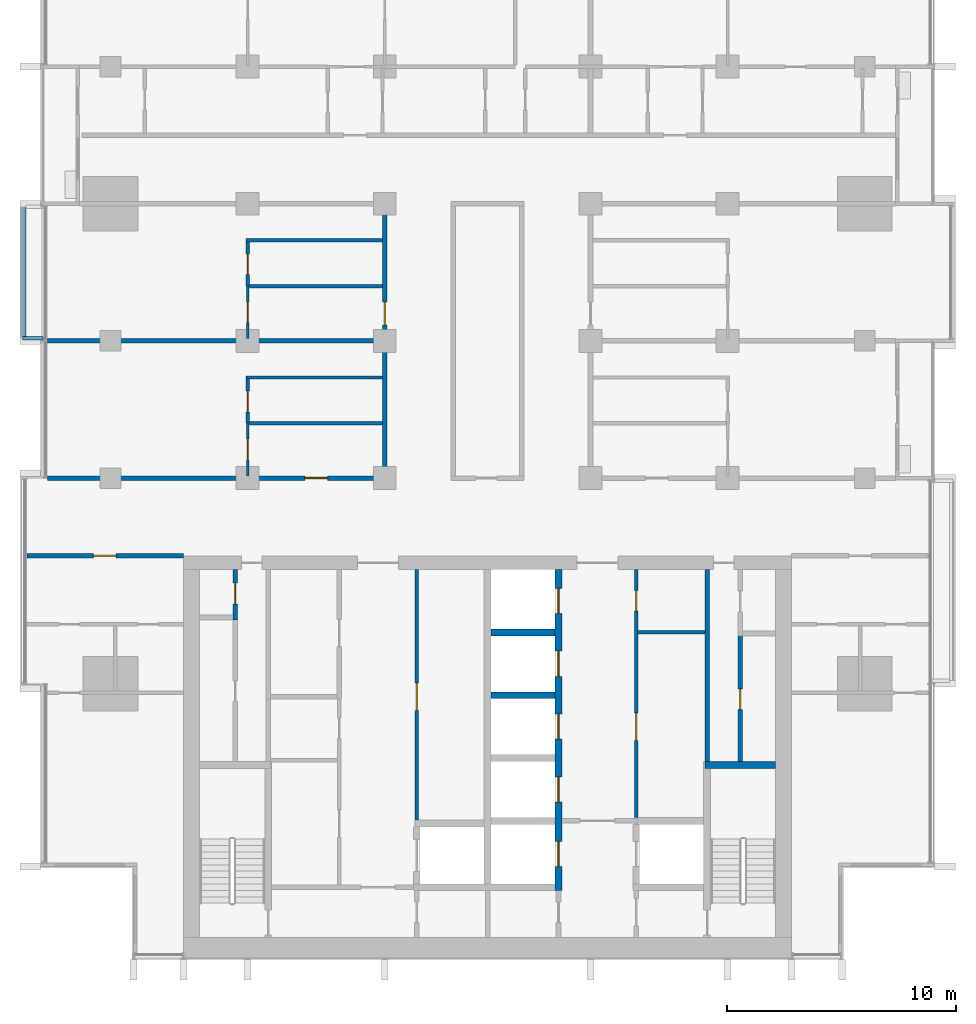
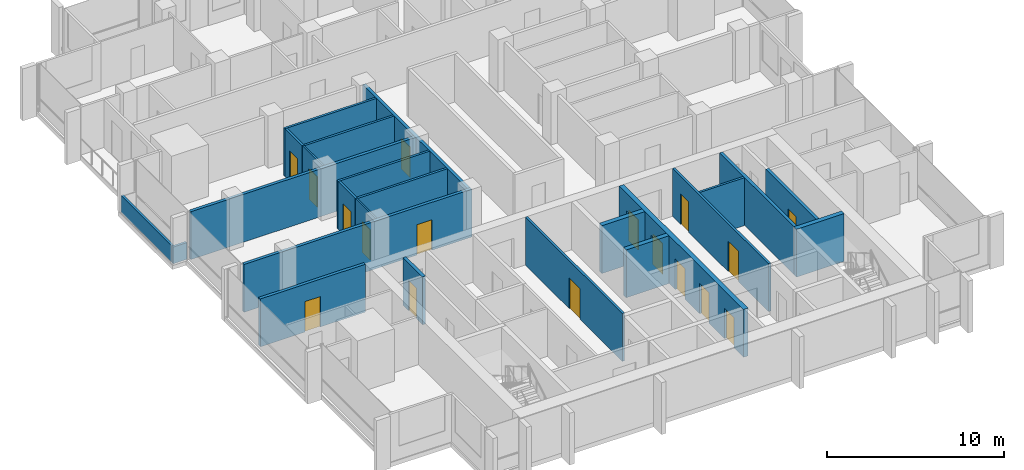
# One storey, part 8 of 17: 24 walls, 17 doors, 17 openings.
"""IFC4 building model written with IfcOpenShell, lengths in metres."""

from ifc_helpers import new_model, si_unit, direction, frame, frame_2d, origin, place, context, subcontext, project, spatial, rectangle, extrude, material, layer, layer_set, type_object, element, fill, save


model = new_model("IFC4")

# Units and contexts
model_context = context("Model", 3, precision=1e-05, world=origin(), true_north=direction((0.0, 1.0)))
body_context = subcontext(model_context, "Body", "Model", "MODEL_VIEW")
ifc_project = project(units=[si_unit("LENGTHUNIT", "METRE"), si_unit("AREAUNIT", "SQUARE_METRE"), si_unit("VOLUMEUNIT", "CUBIC_METRE"), si_unit("PLANEANGLEUNIT", "RADIAN"), si_unit("MASSUNIT", "GRAM", prefix="KILO")], contexts=[model_context])

# Site, building, storey
site_placement = place(None, origin())
site = spatial("IfcSite", under=ifc_project, at=site_placement, CompositionType="ELEMENT")
building_placement = place(site_placement, origin())
building = spatial("IfcBuilding", under=site, at=building_placement, Name="Finial Court Residences", CompositionType="ELEMENT")
storey_placement = place(building_placement, frame((0.0, 0.0, 181.699951171875)))
storey = spatial("IfcBuildingStorey", under=building, at=storey_placement, Name="L45", CompositionType="ELEMENT", Elevation=181.699951171875)

# Walls
ifc_material_1 = material(Name="Gypsum board")
ifc_layer_1 = layer(ifc_material_1, 0.02490234375)
ifc_material_2 = material(Name="Acoustic mineral wool in double frame")
ifc_layer_2 = layer(ifc_material_2, 0.14990234375)
ifc_layer_3 = layer(ifc_material_1, 0.02490234375)
ifc_layer_set_1 = layer_set([ifc_layer_1, ifc_layer_2, ifc_layer_3], Name="Acoustic party wall 200, 1 hour")
wall_type_1 = type_object("IfcWallType", Name="Acoustic party wall 200, 1 hour", PredefinedType="PARTITIONING", material=ifc_layer_set_1)
wall_1_placement = place(storey_placement, frame((-19.262451171875, 1.5, 0.0), z_axis=(0.0, 0.0, 1.0), x_axis=(1.0, 0.0, 0.0)))
element("IfcWall", 1, at=wall_1_placement, inside=storey, type_object=wall_type_1, Name="Partition L45-013", PredefinedType="PARTITIONING", context=body_context, shape_type="SweptSolid", body=[
    extrude(rectangle(XDim=14.662353515625, YDim=0.199951171875, at=frame_2d((7.3310546875, 0.0))), origin(), (0.0, 0.0, 1.0), 3.300048828125),
])
ifc_material_3 = material(Name="Fire-rated gypsum board partition")
ifc_layer_4 = layer(ifc_material_3, 0.14990234375)
ifc_layer_set_2 = layer_set([ifc_layer_4], Name="Core room partition 150 EI 60")
wall_type_2 = type_object("IfcWallType", Name="Core room partition 150 EI 60", PredefinedType="PARTITIONING", material=ifc_layer_set_2)
wall_2_placement = place(storey_placement, frame((6.574951171875, -11.25, 0.0), z_axis=(0.0, 0.0, 1.0), x_axis=(1.0, 0.0, 0.0)))
element("IfcWall", 2, at=wall_2_placement, inside=storey, type_object=wall_type_2, Name="Core partition L45-16", PredefinedType="PARTITIONING", context=body_context, shape_type="SweptSolid", body=[
    extrude(rectangle(XDim=2.925048828125, YDim=0.14990234375, at=frame_2d((1.46240234375, 0.0))), origin(), (0.0, 0.0, 1.0), 3.300048828125),
])

# Wall, opening, door
wall_3_placement = place(storey_placement, frame((-3.10009765625, -8.5, 0.0), z_axis=(0.0, 0.0, 1.0), x_axis=(0.0, -1.0, 0.0)))
wall_3 = element("IfcWall", 3, at=wall_3_placement, inside=storey, type_object=wall_type_2, Name="Core partition L45-27", PredefinedType="PARTITIONING", context=body_context, shape_type="SweptSolid", body=[
    extrude(rectangle(XDim=10.969970703125, YDim=0.14990234375, at=frame_2d((5.48486328125, 0.0))), origin(), (0.0, 0.0, 1.0), 3.300048828125),
])
opening_1_placement = place(wall_3_placement, frame((4.9599609375, 0.0, 0.0)))
opening_1 = element("IfcOpeningElement", 4, at=opening_1_placement, cuts=wall_3, Name="Opening L45-C17", PredefinedType="OPENING", context=body_context, shape_type="SweptSolid", body=[
    extrude(rectangle(XDim=1.199951171875, YDim=2.10009765625, at=frame_2d((0.60009765625, 1.050048828125))), frame((0.0, 0.0849609375, 0.0), z_axis=(0.0, -1.0, 0.0), x_axis=(1.0, 0.0, 0.0)), (0.0, 0.0, 1.0), 0.169921875),
])
ifc_material_4 = material(Name="Steel fire door", Category="steel")
door_type_1 = type_object("IfcDoorType", Name="Core room door 1200 x 2100 EI 60", OperationType="NOTDEFINED", PredefinedType="DOOR", material=ifc_material_4)
door_1_placement = place(opening_1_placement, origin())
door_1 = element("IfcDoor", 5, at=door_1_placement, inside=storey, type_object=door_type_1, Name="Core room door L45-C17", OperationType="SINGLE_SWING_RIGHT", OverallHeight=2.10009765625, OverallWidth=1.199951171875, PredefinedType="DOOR", context=body_context, shape_type="SweptSolid", body=[
    extrude(rectangle(XDim=1.199951171875, YDim=2.10009765625, at=frame_2d((0.60009765625, 1.050048828125))), frame((0.0, 0.02490234375, 0.0), z_axis=(0.0, -1.0, 0.0), x_axis=(1.0, 0.0, 0.0)), (0.0, 0.0, 1.0), 0.050048828125),
])
fill(opening_1, door_1)

# Wall, openings, doors
wall_4_placement = place(storey_placement, frame((6.5, -8.5, 0.0), z_axis=(0.0, 0.0, 1.0), x_axis=(0.0, -1.0, 0.0)))
wall_4 = element("IfcWall", 6, at=wall_4_placement, inside=storey, type_object=wall_type_2, Name="Core partition L45-34", PredefinedType="PARTITIONING", context=body_context, shape_type="SweptSolid", body=[
    extrude(rectangle(XDim=10.85009765625, YDim=0.14990234375, at=frame_2d((5.425048828125, 0.0))), origin(), (0.0, 0.0, 1.0), 3.300048828125),
])
opening_2_placement = place(wall_4_placement, frame((6.27490234375, 0.0, 0.0)))
opening_2 = element("IfcOpeningElement", 7, at=opening_2_placement, cuts=wall_4, Name="Opening L45-C18", PredefinedType="OPENING", context=body_context, shape_type="SweptSolid", body=[
    extrude(rectangle(XDim=1.199951171875, YDim=2.10009765625, at=frame_2d((0.60009765625, 1.050048828125))), frame((0.0, 0.0849609375, 0.0), z_axis=(0.0, -1.0, 0.0), x_axis=(1.0, 0.0, 0.0)), (0.0, 0.0, 1.0), 0.169921875),
])
opening_3_placement = place(wall_4_placement, frame((0.925048828125, 0.0, 0.0)))
opening_3 = element("IfcOpeningElement", 8, at=opening_3_placement, cuts=wall_4, Name="Opening L45-C19", PredefinedType="OPENING", context=body_context, shape_type="SweptSolid", body=[
    extrude(rectangle(XDim=0.89990234375, YDim=2.10009765625, at=frame_2d((0.449951171875, 1.050048828125))), frame((0.0, 0.0849609375, 0.0), z_axis=(0.0, -1.0, 0.0), x_axis=(1.0, 0.0, 0.0)), (0.0, 0.0, 1.0), 0.169921875),
])
door_2_placement = place(opening_2_placement, origin())
door_2 = element("IfcDoor", 9, at=door_2_placement, inside=storey, type_object=door_type_1, Name="Core room door L45-C18", OperationType="SINGLE_SWING_RIGHT", OverallHeight=2.10009765625, OverallWidth=1.199951171875, PredefinedType="DOOR", context=body_context, shape_type="SweptSolid", body=[
    extrude(rectangle(XDim=1.199951171875, YDim=2.10009765625, at=frame_2d((0.60009765625, 1.050048828125))), frame((0.0, 0.02490234375, 0.0), z_axis=(0.0, -1.0, 0.0), x_axis=(1.0, 0.0, 0.0)), (0.0, 0.0, 1.0), 0.050048828125),
])
fill(opening_2, door_2)
door_type_2 = type_object("IfcDoorType", Name="Core room door 900 x 2100 EI 60", OperationType="NOTDEFINED", PredefinedType="DOOR", material=ifc_material_4)
door_3_placement = place(opening_3_placement, origin())
door_3 = element("IfcDoor", 10, at=door_3_placement, inside=storey, type_object=door_type_2, Name="Core room door L45-C19", OperationType="SINGLE_SWING_RIGHT", OverallHeight=2.10009765625, OverallWidth=0.89990234375, PredefinedType="DOOR", context=body_context, shape_type="SweptSolid", body=[
    extrude(rectangle(XDim=0.89990234375, YDim=2.10009765625, at=frame_2d((0.449951171875, 1.050048828125))), frame((0.0, 0.02490234375, 0.0), z_axis=(0.0, -1.0, 0.0), x_axis=(1.0, 0.0, 0.0)), (0.0, 0.0, 1.0), 0.050048828125),
])
fill(opening_3, door_3)

# Wall, opening, door
ifc_layer_5 = layer(ifc_material_1, 0.02490234375)
ifc_layer_6 = layer(ifc_material_2, 0.14990234375)
ifc_layer_7 = layer(ifc_material_1, 0.02490234375)
ifc_layer_set_3 = layer_set([ifc_layer_5, ifc_layer_6, ifc_layer_7], Name="Corridor wall 200, 1 hour")
wall_type_3 = type_object("IfcWallType", Name="Corridor wall 200, 1 hour", PredefinedType="PARTITIONING", material=ifc_layer_set_3)
wall_5_placement = place(storey_placement, frame((-20.16259765625, -7.89990234375, 0.0), z_axis=(0.0, 0.0, 1.0), x_axis=(1.0, 0.0, 0.0)))
wall_5 = element("IfcWall", 11, at=wall_5_placement, inside=storey, type_object=wall_type_3, Name="Partition L45-004", PredefinedType="PARTITIONING", context=body_context, shape_type="SweptSolid", body=[
    extrude(rectangle(XDim=6.862548828125, YDim=0.199951171875, at=frame_2d((3.43115234375, 0.0))), origin(), (0.0, 0.0, 1.0), 3.300048828125),
])
opening_4_placement = place(wall_5_placement, frame((2.9130859375, 0.0, 0.0)))
opening_4 = element("IfcOpeningElement", 12, at=opening_4_placement, cuts=wall_5, Name="Opening L45-D007", PredefinedType="OPENING", context=body_context, shape_type="SweptSolid", body=[
    extrude(rectangle(XDim=1.0, YDim=2.10009765625, at=frame_2d((0.5, 1.050048828125))), frame((0.0, 0.10986328125, 0.0), z_axis=(0.0, -1.0, 0.0), x_axis=(1.0, 0.0, 0.0)), (0.0, 0.0, 1.0), 0.219970703125),
])
ifc_material_5 = material(Name="Timber door leaf in hollow metal frame", Category="wood")
door_type_3 = type_object("IfcDoorType", Name="Fire door set 1000 x 2100, 30 minutes", OperationType="SINGLE_SWING_LEFT", PredefinedType="DOOR", material=ifc_material_5)
door_4_placement = place(opening_4_placement, origin())
door_4 = element("IfcDoor", 13, at=door_4_placement, inside=storey, type_object=door_type_3, Name="Door L45-D007", OperationType="SINGLE_SWING_RIGHT", OverallHeight=2.10009765625, OverallWidth=1.0, PredefinedType="DOOR", context=body_context, shape_type="SweptSolid", body=[
    extrude(rectangle(XDim=1.0, YDim=2.10009765625, at=frame_2d((0.5, 1.050048828125))), frame((0.0, 0.02490234375, 0.0), z_axis=(0.0, -1.0, 0.0), x_axis=(1.0, 0.0, 0.0)), (0.0, 0.0, 1.0), 0.050048828125),
])
fill(opening_4, door_4)

wall_6_placement = place(storey_placement, frame((-19.262451171875, -4.5, 0.0), z_axis=(0.0, 0.0, 1.0), x_axis=(1.0, 0.0, 0.0)))
wall_6 = element("IfcWall", 14, at=wall_6_placement, inside=storey, type_object=wall_type_3, Name="Partition L45-006", PredefinedType="PARTITIONING", context=body_context, shape_type="SweptSolid", body=[
    extrude(rectangle(XDim=14.862548828125, YDim=0.199951171875, at=frame_2d((7.43115234375, 0.0))), origin(), (0.0, 0.0, 1.0), 3.300048828125),
])
opening_5_placement = place(wall_6_placement, frame((11.261962890625, 0.0, 0.0)))
opening_5 = element("IfcOpeningElement", 15, at=opening_5_placement, cuts=wall_6, Name="Opening L45-D009", PredefinedType="OPENING", context=body_context, shape_type="SweptSolid", body=[
    extrude(rectangle(XDim=1.0, YDim=2.10009765625, at=frame_2d((0.5, 1.050048828125))), frame((0.0, 0.10986328125, 0.0), z_axis=(0.0, -1.0, 0.0), x_axis=(1.0, 0.0, 0.0)), (0.0, 0.0, 1.0), 0.219970703125),
])
door_5_placement = place(opening_5_placement, origin())
door_5 = element("IfcDoor", 16, at=door_5_placement, inside=storey, type_object=door_type_3, Name="Door L45-D009", OperationType="SINGLE_SWING_LEFT", OverallHeight=2.10009765625, OverallWidth=1.0, PredefinedType="DOOR", context=body_context, shape_type="SweptSolid", body=[
    extrude(rectangle(XDim=1.0, YDim=2.10009765625, at=frame_2d((0.5, 1.050048828125))), frame((0.0, 0.02490234375, 0.0), z_axis=(0.0, -1.0, 0.0), x_axis=(1.0, 0.0, 0.0)), (0.0, 0.0, 1.0), 0.050048828125),
])
fill(opening_5, door_5)

wall_7_placement = place(storey_placement, frame((-4.5, -4.39990234375, 0.0), z_axis=(0.0, 0.0, 1.0), x_axis=(0.0, 1.0, 0.0)))
wall_7 = element("IfcWall", 17, at=wall_7_placement, inside=storey, type_object=wall_type_3, Name="Partition L45-042", PredefinedType="PARTITIONING", context=body_context, shape_type="SweptSolid", body=[
    extrude(rectangle(XDim=11.7998046875, YDim=0.199951171875, at=frame_2d((5.89990234375, 0.0))), origin(), (0.0, 0.0, 1.0), 3.300048828125),
])
opening_6_placement = place(wall_7_placement, frame((6.60009765625, 0.0, 0.0)))
opening_6 = element("IfcOpeningElement", 18, at=opening_6_placement, cuts=wall_7, Name="Opening L45-D029", PredefinedType="OPENING", context=body_context, shape_type="SweptSolid", body=[
    extrude(rectangle(XDim=1.0, YDim=2.10009765625, at=frame_2d((0.5, 1.050048828125))), frame((0.0, 0.10986328125, 0.0), z_axis=(0.0, -1.0, 0.0), x_axis=(1.0, 0.0, 0.0)), (0.0, 0.0, 1.0), 0.219970703125),
])
door_6_placement = place(opening_6_placement, origin())
door_6 = element("IfcDoor", 19, at=door_6_placement, inside=storey, type_object=door_type_3, Name="Door L45-D029", OperationType="SINGLE_SWING_LEFT", OverallHeight=2.10009765625, OverallWidth=1.0, PredefinedType="DOOR", context=body_context, shape_type="SweptSolid", body=[
    extrude(rectangle(XDim=1.0, YDim=2.10009765625, at=frame_2d((0.5, 1.050048828125))), frame((0.0, 0.02490234375, 0.0), z_axis=(0.0, -1.0, 0.0), x_axis=(1.0, 0.0, 0.0)), (0.0, 0.0, 1.0), 0.050048828125),
])
fill(opening_6, door_6)

ifc_layer_8 = layer(ifc_material_1, 0.012451171875)
ifc_material_6 = material(Name="Mineral wool in light-gauge frame")
ifc_layer_9 = layer(ifc_material_6, 0.074951171875)
ifc_layer_10 = layer(ifc_material_1, 0.012451171875)
ifc_layer_set_4 = layer_set([ifc_layer_8, ifc_layer_9, ifc_layer_10], Name="Gypsum board partition 100")
wall_type_4 = type_object("IfcWallType", Name="Gypsum board partition 100", PredefinedType="PARTITIONING", material=ifc_layer_set_4)
wall_8_placement = place(storey_placement, frame((-10.5, -4.39990234375, 0.0), z_axis=(0.0, 0.0, 1.0), x_axis=(0.0, 1.0, 0.0)))
wall_8 = element("IfcWall", 20, at=wall_8_placement, inside=storey, type_object=wall_type_4, Name="Partition L45-035", PredefinedType="PARTITIONING", context=body_context, shape_type="SweptSolid", body=[
    extrude(rectangle(XDim=2.2998046875, YDim=0.10009765625, at=frame_2d((1.14990234375, 0.0))), origin(), (0.0, 0.0, 1.0), 3.300048828125),
])
opening_7_placement = place(wall_8_placement, frame((0.699951171875, 0.0, 0.0)))
opening_7 = element("IfcOpeningElement", 21, at=opening_7_placement, cuts=wall_8, Name="Opening L45-D022", PredefinedType="OPENING", context=body_context, shape_type="SweptSolid", body=[
    extrude(rectangle(XDim=0.89990234375, YDim=2.10009765625, at=frame_2d((0.449951171875, 1.050048828125))), frame((0.0, 0.06005859375, 0.0), z_axis=(0.0, -1.0, 0.0), x_axis=(1.0, 0.0, 0.0)), (0.0, 0.0, 1.0), 0.1201171875),
])
ifc_material_7 = material(Name="Timber door leaf in timber frame", Category="wood")
door_type_4 = type_object("IfcDoorType", Name="Door set 900 x 2100", OperationType="SINGLE_SWING_LEFT", PredefinedType="DOOR", material=ifc_material_7)
door_7_placement = place(opening_7_placement, origin())
door_7 = element("IfcDoor", 22, at=door_7_placement, inside=storey, type_object=door_type_4, Name="Door L45-D022", OperationType="SINGLE_SWING_LEFT", OverallHeight=2.10009765625, OverallWidth=0.89990234375, PredefinedType="DOOR", context=body_context, shape_type="SweptSolid", body=[
    extrude(rectangle(XDim=0.89990234375, YDim=2.10009765625, at=frame_2d((0.449951171875, 1.050048828125))), frame((0.0, 0.02490234375, 0.0), z_axis=(0.0, -1.0, 0.0), x_axis=(1.0, 0.0, 0.0)), (0.0, 0.0, 1.0), 0.050048828125),
])
fill(opening_7, door_7)

wall_9_placement = place(storey_placement, frame((-10.5, 1.60009765625, 0.0), z_axis=(0.0, 0.0, 1.0), x_axis=(0.0, 1.0, 0.0)))
wall_9 = element("IfcWall", 23, at=wall_9_placement, inside=storey, type_object=wall_type_4, Name="Partition L45-036", PredefinedType="PARTITIONING", context=body_context, shape_type="SweptSolid", body=[
    extrude(rectangle(XDim=2.2998046875, YDim=0.10009765625, at=frame_2d((1.14990234375, 0.0))), origin(), (0.0, 0.0, 1.0), 3.300048828125),
])
opening_8_placement = place(wall_9_placement, frame((0.699951171875, 0.0, 0.0)))
opening_8 = element("IfcOpeningElement", 24, at=opening_8_placement, cuts=wall_9, Name="Opening L45-D023", PredefinedType="OPENING", context=body_context, shape_type="SweptSolid", body=[
    extrude(rectangle(XDim=0.89990234375, YDim=2.10009765625, at=frame_2d((0.449951171875, 1.050048828125))), frame((0.0, 0.06005859375, 0.0), z_axis=(0.0, -1.0, 0.0), x_axis=(1.0, 0.0, 0.0)), (0.0, 0.0, 1.0), 0.1201171875),
])
door_8_placement = place(opening_8_placement, origin())
door_8 = element("IfcDoor", 25, at=door_8_placement, inside=storey, type_object=door_type_4, Name="Door L45-D023", OperationType="SINGLE_SWING_RIGHT", OverallHeight=2.10009765625, OverallWidth=0.89990234375, PredefinedType="DOOR", context=body_context, shape_type="SweptSolid", body=[
    extrude(rectangle(XDim=0.89990234375, YDim=2.10009765625, at=frame_2d((0.449951171875, 1.050048828125))), frame((0.0, 0.02490234375, 0.0), z_axis=(0.0, -1.0, 0.0), x_axis=(1.0, 0.0, 0.0)), (0.0, 0.0, 1.0), 0.050048828125),
])
fill(opening_8, door_8)

# Walls
ifc_material_8 = material(Name="Moisture-resistant gypsum board")
ifc_layer_11 = layer(ifc_material_8, 0.012451171875)
ifc_layer_12 = layer(ifc_material_6, 0.125)
ifc_layer_13 = layer(ifc_material_8, 0.012451171875)
ifc_layer_set_5 = layer_set([ifc_layer_11, ifc_layer_12, ifc_layer_13], Name="Gypsum board wet-area partition 150")
wall_type_5 = type_object("IfcWallType", Name="Gypsum board wet-area partition 150", PredefinedType="PARTITIONING", material=ifc_layer_set_5)
wall_10_placement = place(storey_placement, frame((-10.425048828125, -2.10009765625, 0.0), z_axis=(0.0, 0.0, 1.0), x_axis=(1.0, 0.0, 0.0)))
element("IfcWall", 26, at=wall_10_placement, inside=storey, type_object=wall_type_5, Name="Partition L45-009", PredefinedType="PARTITIONING", context=body_context, shape_type="SweptSolid", body=[
    extrude(rectangle(XDim=5.824951171875, YDim=0.14990234375, at=frame_2d((2.91259765625, 0.0))), origin(), (0.0, 0.0, 1.0), 3.300048828125),
])
wall_11_placement = place(storey_placement, frame((-10.574951171875, -0.10009765625, 0.0), z_axis=(0.0, 0.0, 1.0), x_axis=(1.0, 0.0, 0.0)))
element("IfcWall", 27, at=wall_11_placement, inside=storey, type_object=wall_type_5, Name="Partition L45-011", PredefinedType="PARTITIONING", context=body_context, shape_type="SweptSolid", body=[
    extrude(rectangle(XDim=5.974853515625, YDim=0.14990234375, at=frame_2d((2.9873046875, 0.0))), origin(), (0.0, 0.0, 1.0), 3.300048828125),
])
wall_12_placement = place(storey_placement, frame((-10.425048828125, 3.89990234375, 0.0), z_axis=(0.0, 0.0, 1.0), x_axis=(1.0, 0.0, 0.0)))
element("IfcWall", 28, at=wall_12_placement, inside=storey, type_object=wall_type_5, Name="Partition L45-015", PredefinedType="PARTITIONING", context=body_context, shape_type="SweptSolid", body=[
    extrude(rectangle(XDim=5.824951171875, YDim=0.14990234375, at=frame_2d((2.91259765625, 0.0))), origin(), (0.0, 0.0, 1.0), 3.300048828125),
])
wall_13_placement = place(storey_placement, frame((-10.574951171875, 5.89990234375, 0.0), z_axis=(0.0, 0.0, 1.0), x_axis=(1.0, 0.0, 0.0)))
element("IfcWall", 29, at=wall_13_placement, inside=storey, type_object=wall_type_5, Name="Partition L45-017", PredefinedType="PARTITIONING", context=body_context, shape_type="SweptSolid", body=[
    extrude(rectangle(XDim=5.974853515625, YDim=0.14990234375, at=frame_2d((2.9873046875, 0.0))), origin(), (0.0, 0.0, 1.0), 3.300048828125),
])

# Wall, opening, door
wall_14_placement = place(storey_placement, frame((-10.5, -2.10009765625, 0.0), z_axis=(0.0, 0.0, 1.0), x_axis=(0.0, 1.0, 0.0)))
wall_14 = element("IfcWall", 30, at=wall_14_placement, inside=storey, type_object=wall_type_5, Name="Partition L45-038", PredefinedType="PARTITIONING", context=body_context, shape_type="SweptSolid", body=[
    extrude(rectangle(XDim=1.925048828125, YDim=0.14990234375, at=frame_2d((0.96240234375, 0.0))), origin(), (0.0, 0.0, 1.0), 3.300048828125),
])
opening_9_placement = place(wall_14_placement, frame((0.5, 0.0, 0.0)))
opening_9 = element("IfcOpeningElement", 31, at=opening_9_placement, cuts=wall_14, Name="Opening L45-D025", PredefinedType="OPENING", context=body_context, shape_type="SweptSolid", body=[
    extrude(rectangle(XDim=0.89990234375, YDim=2.10009765625, at=frame_2d((0.449951171875, 1.050048828125))), frame((0.0, 0.0849609375, 0.0), z_axis=(0.0, -1.0, 0.0), x_axis=(1.0, 0.0, 0.0)), (0.0, 0.0, 1.0), 0.169921875),
])
door_9_placement = place(opening_9_placement, origin())
door_9 = element("IfcDoor", 32, at=door_9_placement, inside=storey, type_object=door_type_4, Name="Door L45-D025", OperationType="SINGLE_SWING_LEFT", OverallHeight=2.10009765625, OverallWidth=0.89990234375, PredefinedType="DOOR", context=body_context, shape_type="SweptSolid", body=[
    extrude(rectangle(XDim=0.89990234375, YDim=2.10009765625, at=frame_2d((0.449951171875, 1.050048828125))), frame((0.0, 0.02490234375, 0.0), z_axis=(0.0, -1.0, 0.0), x_axis=(1.0, 0.0, 0.0)), (0.0, 0.0, 1.0), 0.050048828125),
])
fill(opening_9, door_9)

wall_15_placement = place(storey_placement, frame((-10.5, 3.89990234375, 0.0), z_axis=(0.0, 0.0, 1.0), x_axis=(0.0, 1.0, 0.0)))
wall_15 = element("IfcWall", 33, at=wall_15_placement, inside=storey, type_object=wall_type_5, Name="Partition L45-039", PredefinedType="PARTITIONING", context=body_context, shape_type="SweptSolid", body=[
    extrude(rectangle(XDim=1.925048828125, YDim=0.14990234375, at=frame_2d((0.96240234375, 0.0))), origin(), (0.0, 0.0, 1.0), 3.300048828125),
])
opening_10_placement = place(wall_15_placement, frame((0.5, 0.0, 0.0)))
opening_10 = element("IfcOpeningElement", 34, at=opening_10_placement, cuts=wall_15, Name="Opening L45-D026", PredefinedType="OPENING", context=body_context, shape_type="SweptSolid", body=[
    extrude(rectangle(XDim=0.89990234375, YDim=2.10009765625, at=frame_2d((0.449951171875, 1.050048828125))), frame((0.0, 0.0849609375, 0.0), z_axis=(0.0, -1.0, 0.0), x_axis=(1.0, 0.0, 0.0)), (0.0, 0.0, 1.0), 0.169921875),
])
door_10_placement = place(opening_10_placement, origin())
door_10 = element("IfcDoor", 35, at=door_10_placement, inside=storey, type_object=door_type_4, Name="Door L45-D026", OperationType="SINGLE_SWING_RIGHT", OverallHeight=2.10009765625, OverallWidth=0.89990234375, PredefinedType="DOOR", context=body_context, shape_type="SweptSolid", body=[
    extrude(rectangle(XDim=0.89990234375, YDim=2.10009765625, at=frame_2d((0.449951171875, 1.050048828125))), frame((0.0, 0.02490234375, 0.0), z_axis=(0.0, -1.0, 0.0), x_axis=(1.0, 0.0, 0.0)), (0.0, 0.0, 1.0), 0.050048828125),
])
fill(opening_10, door_10)

# Walls
ifc_material_9 = material(Name="Concrete C35/45", Category="concrete")
ifc_layer_14 = layer(ifc_material_9, 0.14990234375)
ifc_layer_set_6 = layer_set([ifc_layer_14], Name="Ledge parapet, Concrete C35/45 150")
wall_type_6 = type_object("IfcWallType", Name="Ledge parapet, Concrete C35/45 150", PredefinedType="PARAPET", material=ifc_layer_set_6)
wall_16_placement = place(storey_placement, frame((-19.447509765625, 1.625, 0.0), z_axis=(0.0, 0.0, 1.0), x_axis=(-1.0, 0.0, 0.0)))
element("IfcWall", 36, at=wall_16_placement, inside=storey, type_object=wall_type_6, Name="E-L45-LED1-P1", PredefinedType="PARAPET", context=body_context, shape_type="SweptSolid", body=[
    extrude(rectangle(XDim=0.902587890625, YDim=0.14990234375, at=frame_2d((0.451171875, 0.0))), origin(), (0.0, 0.0, 1.0), 1.150146484375),
])
wall_17_placement = place(storey_placement, frame((-20.27490234375, 1.699951171875, 0.0), z_axis=(0.0, 0.0, 1.0), x_axis=(0.0, 1.0, 0.0)))
element("IfcWall", 37, at=wall_17_placement, inside=storey, type_object=wall_type_6, Name="E-L45-LED1-P2", PredefinedType="PARAPET", context=body_context, shape_type="SweptSolid", body=[
    extrude(rectangle(XDim=5.75, YDim=0.14990234375, at=frame_2d((2.875, 0.0))), origin(), (0.0, 0.0, 1.0), 1.150146484375),
])
ifc_material_10 = material(Name="Concrete C70/85", Category="concrete")
ifc_layer_15 = layer(ifc_material_10, 0.300048828125)
ifc_layer_set_7 = layer_set([ifc_layer_15], Name="Lift shaft and stair wall 300 Concrete C70/85")
wall_type_7 = type_object("IfcWallType", Name="Lift shaft and stair wall 300 Concrete C70/85", PredefinedType="SHEAR", material=ifc_layer_set_7)
wall_18_placement = place(storey_placement, frame((9.5, -17.050048828125, 0.0), z_axis=(0.0, 0.0, 1.0), x_axis=(1.0, 0.0, 0.0)))
element("IfcWall", 38, at=wall_18_placement, inside=storey, type_object=wall_type_7, Name="Core wall L45-09", PredefinedType="SHEAR", context=body_context, shape_type="SweptSolid", body=[
    extrude(rectangle(XDim=3.10009765625, YDim=0.300048828125, at=frame_2d((1.550048828125, 0.0))), origin(), (0.0, 0.0, 1.0), 3.300048828125),
])
for number, where, z_axis, x_axis, name in (
    (39, (0.14990234375, -14.0, 0.0), (0.0, 0.0, 1.0), (1.0, 0.0, 0.0), "Core wall L45-13"),
    (40, (0.14990234375, -11.25, 0.0), (0.0, 0.0, 1.0), (1.0, 0.0, 0.0), "Core wall L45-15"),
):
    element("IfcWall", number, at=place(storey_placement, frame(where, z_axis=z_axis, x_axis=x_axis)), inside=storey, type_object=wall_type_7, Name=name, PredefinedType="SHEAR", context=body_context, shape_type="SweptSolid", body=[
        extrude(rectangle(XDim=2.800048828125, YDim=0.300048828125, at=frame_2d((1.39990234375, 0.0))), origin(), (0.0, 0.0, 1.0), 3.300048828125),
    ])

# Wall, openings, doors
wall_19_placement = place(storey_placement, frame((3.10009765625, -22.550048828125, 0.0), z_axis=(0.0, 0.0, 1.0), x_axis=(0.0, 1.0, 0.0)))
wall_19 = element("IfcWall", 41, at=wall_19_placement, inside=storey, type_object=wall_type_7, Name="Core wall L45-31", PredefinedType="SHEAR", context=body_context, shape_type="SweptSolid", body=[
    extrude(rectangle(XDim=14.050048828125, YDim=0.300048828125, at=frame_2d((7.02490234375, 0.0))), origin(), (0.0, 0.0, 1.0), 3.300048828125),
])
opening_11_placement = place(wall_19_placement, frame((1.050048828125, 0.0, 0.0)))
opening_11 = element("IfcOpeningElement", 42, at=opening_11_placement, cuts=wall_19, Name="Opening L45-LD01", PredefinedType="OPENING", context=body_context, shape_type="SweptSolid", body=[
    extrude(rectangle(XDim=1.10009765625, YDim=2.10009765625, at=frame_2d((0.550048828125, 1.050048828125))), frame((0.0, 0.159912109375, 0.0), z_axis=(0.0, -1.0, 0.0), x_axis=(1.0, 0.0, 0.0)), (0.0, 0.0, 1.0), 0.320068359375),
])
opening_12_placement = place(wall_19_placement, frame((3.875, 0.0, 0.0)))
opening_12 = element("IfcOpeningElement", 43, at=opening_12_placement, cuts=wall_19, Name="Opening L45-LD03", PredefinedType="OPENING", context=body_context, shape_type="SweptSolid", body=[
    extrude(rectangle(XDim=1.10009765625, YDim=2.10009765625, at=frame_2d((0.550048828125, 1.050048828125))), frame((0.0, 0.159912109375, 0.0), z_axis=(0.0, -1.0, 0.0), x_axis=(1.0, 0.0, 0.0)), (0.0, 0.0, 1.0), 0.320068359375),
])
opening_13_placement = place(wall_19_placement, frame((6.625, 0.0, 0.0)))
opening_13 = element("IfcOpeningElement", 44, at=opening_13_placement, cuts=wall_19, Name="Opening L45-LD04", PredefinedType="OPENING", context=body_context, shape_type="SweptSolid", body=[
    extrude(rectangle(XDim=1.10009765625, YDim=2.10009765625, at=frame_2d((0.550048828125, 1.050048828125))), frame((0.0, 0.159912109375, 0.0), z_axis=(0.0, -1.0, 0.0), x_axis=(1.0, 0.0, 0.0)), (0.0, 0.0, 1.0), 0.320068359375),
])
opening_14_placement = place(wall_19_placement, frame((9.375, 0.0, 0.0)))
opening_14 = element("IfcOpeningElement", 45, at=opening_14_placement, cuts=wall_19, Name="Opening L45-LD05", PredefinedType="OPENING", context=body_context, shape_type="SweptSolid", body=[
    extrude(rectangle(XDim=1.10009765625, YDim=2.10009765625, at=frame_2d((0.550048828125, 1.050048828125))), frame((0.0, 0.159912109375, 0.0), z_axis=(0.0, -1.0, 0.0), x_axis=(1.0, 0.0, 0.0)), (0.0, 0.0, 1.0), 0.320068359375),
])
opening_15_placement = place(wall_19_placement, frame((12.125, 0.0, 0.0)))
opening_15 = element("IfcOpeningElement", 46, at=opening_15_placement, cuts=wall_19, Name="Opening L45-LD06", PredefinedType="OPENING", context=body_context, shape_type="SweptSolid", body=[
    extrude(rectangle(XDim=1.10009765625, YDim=2.10009765625, at=frame_2d((0.550048828125, 1.050048828125))), frame((0.0, 0.159912109375, 0.0), z_axis=(0.0, -1.0, 0.0), x_axis=(1.0, 0.0, 0.0)), (0.0, 0.0, 1.0), 0.320068359375),
])
ifc_material_11 = material(Name="Stainless steel lift door", Category="steel")
door_type_5 = type_object("IfcDoorType", Name="Lift landing door 1100 x 2100 EI 90", OperationType="DOUBLE_DOOR_SLIDING", PredefinedType="DOOR", material=ifc_material_11)
door_11_placement = place(opening_11_placement, origin())
door_11 = element("IfcDoor", 47, at=door_11_placement, inside=storey, type_object=door_type_5, Name="Lift landing door FF1 L45", OperationType="DOUBLE_DOOR_SLIDING", OverallHeight=2.10009765625, OverallWidth=1.10009765625, PredefinedType="DOOR", context=body_context, shape_type="SweptSolid", body=[
    extrude(rectangle(XDim=1.10009765625, YDim=2.10009765625, at=frame_2d((0.550048828125, 1.050048828125))), frame((0.0, 0.02490234375, 0.0), z_axis=(0.0, -1.0, 0.0), x_axis=(1.0, 0.0, 0.0)), (0.0, 0.0, 1.0), 0.050048828125),
])
fill(opening_11, door_11)
door_12_placement = place(opening_12_placement, origin())
door_12 = element("IfcDoor", 48, at=door_12_placement, inside=storey, type_object=door_type_5, Name="Lift landing door HR1 L45", OperationType="DOUBLE_DOOR_SLIDING", OverallHeight=2.10009765625, OverallWidth=1.10009765625, PredefinedType="DOOR", context=body_context, shape_type="SweptSolid", body=[
    extrude(rectangle(XDim=1.10009765625, YDim=2.10009765625, at=frame_2d((0.550048828125, 1.050048828125))), frame((0.0, 0.02490234375, 0.0), z_axis=(0.0, -1.0, 0.0), x_axis=(1.0, 0.0, 0.0)), (0.0, 0.0, 1.0), 0.050048828125),
])
fill(opening_12, door_12)
door_13_placement = place(opening_13_placement, origin())
door_13 = element("IfcDoor", 49, at=door_13_placement, inside=storey, type_object=door_type_5, Name="Lift landing door HR2 L45", OperationType="DOUBLE_DOOR_SLIDING", OverallHeight=2.10009765625, OverallWidth=1.10009765625, PredefinedType="DOOR", context=body_context, shape_type="SweptSolid", body=[
    extrude(rectangle(XDim=1.10009765625, YDim=2.10009765625, at=frame_2d((0.550048828125, 1.050048828125))), frame((0.0, 0.02490234375, 0.0), z_axis=(0.0, -1.0, 0.0), x_axis=(1.0, 0.0, 0.0)), (0.0, 0.0, 1.0), 0.050048828125),
])
fill(opening_13, door_13)
door_14_placement = place(opening_14_placement, origin())
door_14 = element("IfcDoor", 50, at=door_14_placement, inside=storey, type_object=door_type_5, Name="Lift landing door HR3 L45", OperationType="DOUBLE_DOOR_SLIDING", OverallHeight=2.10009765625, OverallWidth=1.10009765625, PredefinedType="DOOR", context=body_context, shape_type="SweptSolid", body=[
    extrude(rectangle(XDim=1.10009765625, YDim=2.10009765625, at=frame_2d((0.550048828125, 1.050048828125))), frame((0.0, 0.02490234375, 0.0), z_axis=(0.0, -1.0, 0.0), x_axis=(1.0, 0.0, 0.0)), (0.0, 0.0, 1.0), 0.050048828125),
])
fill(opening_14, door_14)
door_15_placement = place(opening_15_placement, origin())
door_15 = element("IfcDoor", 51, at=door_15_placement, inside=storey, type_object=door_type_5, Name="Lift landing door HR4 L45", OperationType="DOUBLE_DOOR_SLIDING", OverallHeight=2.10009765625, OverallWidth=1.10009765625, PredefinedType="DOOR", context=body_context, shape_type="SweptSolid", body=[
    extrude(rectangle(XDim=1.10009765625, YDim=2.10009765625, at=frame_2d((0.550048828125, 1.050048828125))), frame((0.0, 0.02490234375, 0.0), z_axis=(0.0, -1.0, 0.0), x_axis=(1.0, 0.0, 0.0)), (0.0, 0.0, 1.0), 0.050048828125),
])
fill(opening_15, door_15)

# Wall, opening, door
ifc_layer_16 = layer(ifc_material_3, 0.199951171875)
ifc_layer_set_8 = layer_set([ifc_layer_16], Name="Riser room wall 200 EI 120")
wall_type_8 = type_object("IfcWallType", Name="Riser room wall 200 EI 120", PredefinedType="PARTITIONING", material=ifc_layer_set_8)
wall_20_placement = place(storey_placement, frame((-11.050048828125, -10.699951171875, 0.0), z_axis=(0.0, 0.0, 1.0), x_axis=(0.0, 1.0, 0.0)))
wall_20 = element("IfcWall", 52, at=wall_20_placement, inside=storey, type_object=wall_type_8, Name="Core partition L45-19", PredefinedType="PARTITIONING", context=body_context, shape_type="SweptSolid", body=[
    extrude(rectangle(XDim=2.199951171875, YDim=0.199951171875, at=frame_2d((1.10009765625, 0.0))), origin(), (0.0, 0.0, 1.0), 3.300048828125),
])
opening_16_placement = place(wall_20_placement, frame((0.699951171875, 0.0, 0.0)))
opening_16 = element("IfcOpeningElement", 53, at=opening_16_placement, cuts=wall_20, Name="Opening L45-C07", PredefinedType="OPENING", context=body_context, shape_type="SweptSolid", body=[
    extrude(rectangle(XDim=0.89990234375, YDim=2.10009765625, at=frame_2d((0.449951171875, 1.050048828125))), frame((0.0, 0.10986328125, 0.0), z_axis=(0.0, -1.0, 0.0), x_axis=(1.0, 0.0, 0.0)), (0.0, 0.0, 1.0), 0.219970703125),
])
door_type_6 = type_object("IfcDoorType", Name="Riser room door 900 x 2100 EI 90", OperationType="NOTDEFINED", PredefinedType="DOOR", material=ifc_material_4)
door_16_placement = place(opening_16_placement, origin())
door_16 = element("IfcDoor", 54, at=door_16_placement, inside=storey, type_object=door_type_6, Name="Riser room door L45-C07", OperationType="SINGLE_SWING_LEFT", OverallHeight=2.10009765625, OverallWidth=0.89990234375, PredefinedType="DOOR", context=body_context, shape_type="SweptSolid", body=[
    extrude(rectangle(XDim=0.89990234375, YDim=2.10009765625, at=frame_2d((0.449951171875, 1.050048828125))), frame((0.0, 0.02490234375, 0.0), z_axis=(0.0, -1.0, 0.0), x_axis=(1.0, 0.0, 0.0)), (0.0, 0.0, 1.0), 0.050048828125),
])
fill(opening_16, door_16)

# Wall
ifc_layer_17 = layer(ifc_material_3, 0.199951171875)
ifc_layer_set_9 = layer_set([ifc_layer_17], Name="Stair passage wall 200 EI 180")
wall_type_9 = type_object("IfcWallType", Name="Stair passage wall 200 EI 180", PredefinedType="PARTITIONING", material=ifc_layer_set_9)
wall_21_placement = place(storey_placement, frame((9.60009765625, -16.89990234375, 0.0), z_axis=(0.0, 0.0, 1.0), x_axis=(0.0, 1.0, 0.0)))
element("IfcWall", 55, at=wall_21_placement, inside=storey, type_object=wall_type_9, Name="Core partition L45-36", PredefinedType="PARTITIONING", context=body_context, shape_type="SweptSolid", body=[
    extrude(rectangle(XDim=8.39990234375, YDim=0.199951171875, at=frame_2d((4.199951171875, 0.0))), origin(), (0.0, 0.0, 1.0), 3.300048828125),
])

# Wall, opening, door
wall_22_placement = place(storey_placement, frame((11.050048828125, -11.199951171875, 0.0), z_axis=(0.0, 0.0, 1.0), x_axis=(0.0, -1.0, 0.0)))
wall_22 = element("IfcWall", 56, at=wall_22_placement, inside=storey, type_object=wall_type_9, Name="Core partition L45-37", PredefinedType="PARTITIONING", context=body_context, shape_type="SweptSolid", body=[
    extrude(rectangle(XDim=5.699951171875, YDim=0.199951171875, at=frame_2d((2.85009765625, 0.0))), origin(), (0.0, 0.0, 1.0), 3.300048828125),
])
opening_17_placement = place(wall_22_placement, frame((2.52490234375, 0.0, 0.0)))
opening_17 = element("IfcOpeningElement", 57, at=opening_17_placement, cuts=wall_22, Name="Opening L45-C14", PredefinedType="OPENING", context=body_context, shape_type="SweptSolid", body=[
    extrude(rectangle(XDim=0.89990234375, YDim=2.10009765625, at=frame_2d((0.449951171875, 1.050048828125))), frame((0.0, 0.10986328125, 0.0), z_axis=(0.0, -1.0, 0.0), x_axis=(1.0, 0.0, 0.0)), (0.0, 0.0, 1.0), 0.219970703125),
])
door_17_placement = place(opening_17_placement, origin())
door_17 = element("IfcDoor", 58, at=door_17_placement, inside=storey, type_object=door_type_2, Name="Core room door L45-C14", OperationType="SINGLE_SWING_RIGHT", OverallHeight=2.10009765625, OverallWidth=0.89990234375, PredefinedType="DOOR", context=body_context, shape_type="SweptSolid", body=[
    extrude(rectangle(XDim=0.89990234375, YDim=2.10009765625, at=frame_2d((0.449951171875, 1.050048828125))), frame((0.0, 0.02490234375, 0.0), z_axis=(0.0, -1.0, 0.0), x_axis=(1.0, 0.0, 0.0)), (0.0, 0.0, 1.0), 0.050048828125),
])
fill(opening_17, door_17)

save(model, "model.ifc")
